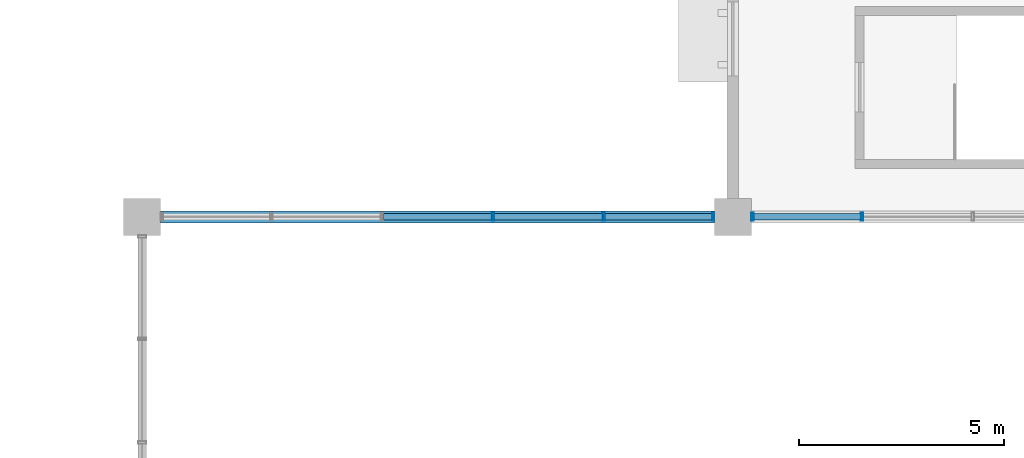
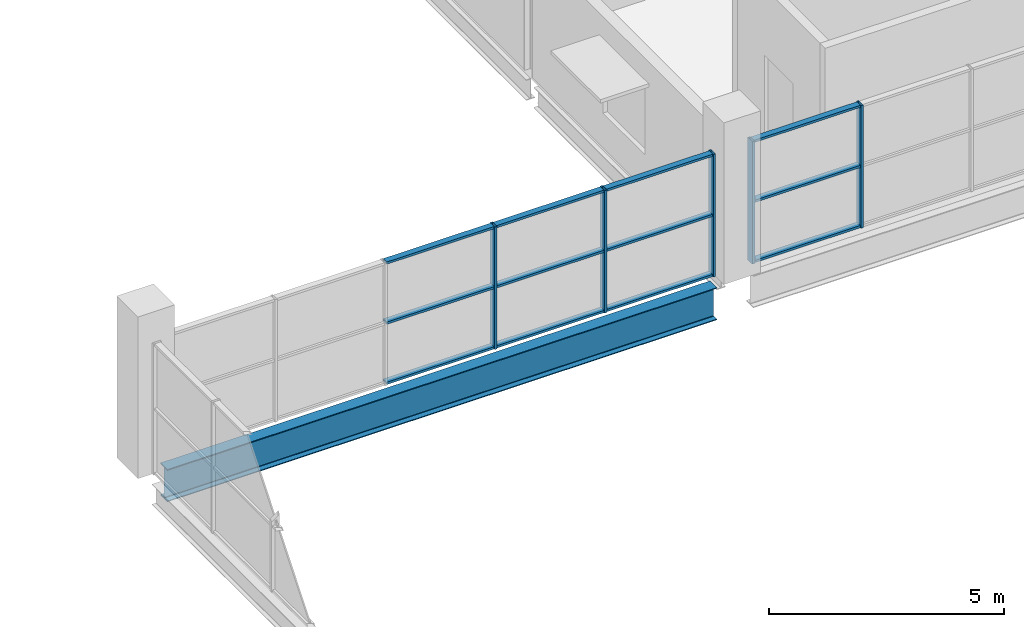
# One storey, part 36 of 93: 17 members, 1 beam, 2 elements without a shape of their own.
"""IFC4 building model written with IfcOpenShell, lengths in metres."""

from ifc_helpers import new_model, si_unit, direction, frame, origin, origin_2d, place, context, subcontext, project, spatial, hollow_rectangle, i_section, extrude, material, material_profile, profile_set, type_object, element, aggregate, save


model = new_model("IFC4")

# Units and contexts
model_context = context("Model", 3, precision=1e-05, world=origin(), true_north=direction((0.0, 1.0)))
body_context = subcontext(model_context, "Body", "Model", "MODEL_VIEW")
ifc_project = project(units=[si_unit("LENGTHUNIT", "METRE"), si_unit("AREAUNIT", "SQUARE_METRE"), si_unit("VOLUMEUNIT", "CUBIC_METRE"), si_unit("PLANEANGLEUNIT", "RADIAN"), si_unit("MASSUNIT", "GRAM", prefix="KILO"), si_unit("THERMODYNAMICTEMPERATUREUNIT", "KELVIN")], contexts=[model_context])

# Site, building, storey
site_placement = place(None, origin())
site = spatial("IfcSite", under=ifc_project, at=site_placement, CompositionType="ELEMENT")
building_placement = place(site_placement, origin())
building = spatial("IfcBuilding", under=site, at=building_placement, Name="Nduvali Passage Aquatics Centre", CompositionType="ELEMENT")
storey_placement = place(building_placement, frame((0.0, 0.0, 9.0)))
storey = spatial("IfcBuildingStorey", under=building, at=storey_placement, Name="L02", CompositionType="ELEMENT", Elevation=9.0)

# Curtain wall, members
ifc_material_1 = material(Name="Aluminium EN AW-6063 T6", Category="aluminium")
curtain_wall_type = type_object("IfcCurtainWallType", Name="ENV-CW-CLER", PredefinedType="NOTDEFINED", material=ifc_material_1)
curtain_wall_1_placement = place(storey_placement, origin())
curtain_wall_1 = element("IfcCurtainWall", 1, at=curtain_wall_1_placement, inside=storey, type_object=curtain_wall_type, Name="L02 North Pool Hall Corner Clerestory 055", PredefinedType="NOTDEFINED")
ifc_material_profile_1 = material_profile(ifc_material_1, hollow_rectangle(XDim=0.06005859375, YDim=0.199951171875, WallThickness=0.00390625, at=origin_2d()), Name="ALU MULLION 60x200x4")
ifc_profile_set_1 = profile_set([ifc_material_profile_1], Name="Aluminium EN AW-6063 T6")
member_type_1 = type_object("IfcMemberType", Name="ENV-MEM-MUL80", PredefinedType="MULLION", material=ifc_profile_set_1)
member_1_placement = place(storey_placement, frame((33.75, 92.39990234375, 0.0), z_axis=(0.0, 0.0, 1.0), x_axis=(1.0, 0.0, 0.0)))
member_1 = element("IfcMember", 2, at=member_1_placement, type_object=member_type_1, Name="North Pool Hall Corner Clerestory Mullion 4", PredefinedType="MULLION", context=body_context, shape_type="SweptSolid", body=[
    extrude(hollow_rectangle(XDim=0.06005859375, YDim=0.199951171875, WallThickness=0.00390625, at=origin_2d()), origin(), (0.0, 0.0, 1.0), 3.183837890625),
])
member_2_placement = place(storey_placement, frame((36.449951171875, 92.39990234375, 0.0), z_axis=(0.0, 0.0, 1.0), x_axis=(1.0, 0.0, 0.0)))
member_2 = element("IfcMember", 3, at=member_2_placement, type_object=member_type_1, Name="North Pool Hall Corner Clerestory Mullion 5", PredefinedType="MULLION", context=body_context, shape_type="SweptSolid", body=[
    extrude(hollow_rectangle(XDim=0.06005859375, YDim=0.199951171875, WallThickness=0.00390625, at=origin_2d()), origin(), (0.0, 0.0, 1.0), 3.183837890625),
])
member_3_placement = place(storey_placement, frame((39.1201171875, 92.39990234375, 0.0), z_axis=(0.0, 0.0, 1.0), x_axis=(1.0, 0.0, 0.0)))
member_3 = element("IfcMember", 4, at=member_3_placement, type_object=member_type_1, Name="North Pool Hall Corner Clerestory Mullion 6", PredefinedType="MULLION", context=body_context, shape_type="SweptSolid", body=[
    extrude(hollow_rectangle(XDim=0.06005859375, YDim=0.199951171875, WallThickness=0.00390625, at=origin_2d()), origin(), (0.0, 0.0, 1.0), 3.183837890625),
])

curtain_wall_2_placement = place(storey_placement, origin())
curtain_wall_2 = element("IfcCurtainWall", 5, at=curtain_wall_2_placement, inside=storey, type_object=curtain_wall_type, Name="L02 North Pool Hall Pool Overlook CW 059", PredefinedType="NOTDEFINED")
member_4_placement = place(storey_placement, frame((40.080078125, 92.39990234375, 0.0), z_axis=(0.0, 0.0, 1.0), x_axis=(1.0, 0.0, 0.0)))
member_4 = element("IfcMember", 6, at=member_4_placement, type_object=member_type_1, Name="North Pool Hall Pool Overlook CW Mullion 1", PredefinedType="MULLION", context=body_context, shape_type="SweptSolid", body=[
    extrude(hollow_rectangle(XDim=0.06005859375, YDim=0.199951171875, WallThickness=0.00390625, at=origin_2d()), origin(), (0.0, 0.0, 1.0), 3.183837890625),
])
member_5_placement = place(storey_placement, frame((42.75, 92.39990234375, 0.0), z_axis=(0.0, 0.0, 1.0), x_axis=(1.0, 0.0, 0.0)))
member_5 = element("IfcMember", 7, at=member_5_placement, type_object=member_type_1, Name="North Pool Hall Pool Overlook CW Mullion 2", PredefinedType="MULLION", context=body_context, shape_type="SweptSolid", body=[
    extrude(hollow_rectangle(XDim=0.06005859375, YDim=0.199951171875, WallThickness=0.00390625, at=origin_2d()), origin(), (0.0, 0.0, 1.0), 3.183837890625),
])

# Member
ifc_material_profile_2 = material_profile(ifc_material_1, hollow_rectangle(XDim=0.14990234375, YDim=0.06005859375, WallThickness=0.00390625, at=origin_2d()), Name="ALU TRANSOM 150x60x4")
ifc_profile_set_2 = profile_set([ifc_material_profile_2], Name="Aluminium EN AW-6063 T6")
member_type_2 = type_object("IfcMemberType", Name="ENV-MEM-TRN80", PredefinedType="USERDEFINED", material=ifc_profile_set_2)
member_6_placement = place(storey_placement, frame((31.080078125, 92.39990234375, 0.030029296875), z_axis=(1.0, 0.0, 0.0), x_axis=(0.0, 1.0, 0.0)))
member_6 = element("IfcMember", 8, at=member_6_placement, type_object=member_type_2, Name="North Pool Hall Corner Clerestory Transom B3-R0", ObjectType="TRANSOM", PredefinedType="USERDEFINED", context=body_context, shape_type="SweptSolid", body=[
    extrude(hollow_rectangle(XDim=0.14990234375, YDim=0.06005859375, WallThickness=0.00390625, at=origin_2d()), origin(), (0.0, 0.0, 1.0), 2.639892578125),
])

member_7_placement = place(storey_placement, frame((31.080078125, 92.39990234375, 1.591796875), z_axis=(1.0, 0.0, 0.0), x_axis=(0.0, 1.0, 0.0)))
member_7 = element("IfcMember", 9, at=member_7_placement, type_object=member_type_2, Name="North Pool Hall Corner Clerestory Transom B3-R1", ObjectType="TRANSOM", PredefinedType="USERDEFINED", context=body_context, shape_type="SweptSolid", body=[
    extrude(hollow_rectangle(XDim=0.14990234375, YDim=0.06005859375, WallThickness=0.00390625, at=origin_2d()), origin(), (0.0, 0.0, 1.0), 2.639892578125),
])

member_8_placement = place(storey_placement, frame((31.080078125, 92.39990234375, 3.15380859375), z_axis=(1.0, 0.0, 0.0), x_axis=(0.0, 1.0, 0.0)))
member_8 = element("IfcMember", 10, at=member_8_placement, type_object=member_type_2, Name="North Pool Hall Corner Clerestory Transom B3-R2", ObjectType="TRANSOM", PredefinedType="USERDEFINED", context=body_context, shape_type="SweptSolid", body=[
    extrude(hollow_rectangle(XDim=0.14990234375, YDim=0.06005859375, WallThickness=0.00390625, at=origin_2d()), origin(), (0.0, 0.0, 1.0), 2.639892578125),
])

member_9_placement = place(storey_placement, frame((33.780029296875, 92.39990234375, 0.030029296875), z_axis=(1.0, 0.0, 0.0), x_axis=(0.0, 1.0, 0.0)))
member_9 = element("IfcMember", 11, at=member_9_placement, type_object=member_type_2, Name="North Pool Hall Corner Clerestory Transom B4-R0", ObjectType="TRANSOM", PredefinedType="USERDEFINED", context=body_context, shape_type="SweptSolid", body=[
    extrude(hollow_rectangle(XDim=0.14990234375, YDim=0.06005859375, WallThickness=0.00390625, at=origin_2d()), origin(), (0.0, 0.0, 1.0), 2.639892578125),
])

member_10_placement = place(storey_placement, frame((33.780029296875, 92.39990234375, 1.591796875), z_axis=(1.0, 0.0, 0.0), x_axis=(0.0, 1.0, 0.0)))
member_10 = element("IfcMember", 12, at=member_10_placement, type_object=member_type_2, Name="North Pool Hall Corner Clerestory Transom B4-R1", ObjectType="TRANSOM", PredefinedType="USERDEFINED", context=body_context, shape_type="SweptSolid", body=[
    extrude(hollow_rectangle(XDim=0.14990234375, YDim=0.06005859375, WallThickness=0.00390625, at=origin_2d()), origin(), (0.0, 0.0, 1.0), 2.639892578125),
])

member_11_placement = place(storey_placement, frame((33.780029296875, 92.39990234375, 3.15380859375), z_axis=(1.0, 0.0, 0.0), x_axis=(0.0, 1.0, 0.0)))
member_11 = element("IfcMember", 13, at=member_11_placement, type_object=member_type_2, Name="North Pool Hall Corner Clerestory Transom B4-R2", ObjectType="TRANSOM", PredefinedType="USERDEFINED", context=body_context, shape_type="SweptSolid", body=[
    extrude(hollow_rectangle(XDim=0.14990234375, YDim=0.06005859375, WallThickness=0.00390625, at=origin_2d()), origin(), (0.0, 0.0, 1.0), 2.639892578125),
])

member_12_placement = place(storey_placement, frame((36.47998046875, 92.39990234375, 0.030029296875), z_axis=(1.0, 0.0, 0.0), x_axis=(0.0, 1.0, 0.0)))
member_12 = element("IfcMember", 14, at=member_12_placement, type_object=member_type_2, Name="North Pool Hall Corner Clerestory Transom B5-R0", ObjectType="TRANSOM", PredefinedType="USERDEFINED", context=body_context, shape_type="SweptSolid", body=[
    extrude(hollow_rectangle(XDim=0.14990234375, YDim=0.06005859375, WallThickness=0.00390625, at=origin_2d()), origin(), (0.0, 0.0, 1.0), 2.610107421875),
])

member_13_placement = place(storey_placement, frame((36.47998046875, 92.39990234375, 1.591796875), z_axis=(1.0, 0.0, 0.0), x_axis=(0.0, 1.0, 0.0)))
member_13 = element("IfcMember", 15, at=member_13_placement, type_object=member_type_2, Name="North Pool Hall Corner Clerestory Transom B5-R1", ObjectType="TRANSOM", PredefinedType="USERDEFINED", context=body_context, shape_type="SweptSolid", body=[
    extrude(hollow_rectangle(XDim=0.14990234375, YDim=0.06005859375, WallThickness=0.00390625, at=origin_2d()), origin(), (0.0, 0.0, 1.0), 2.610107421875),
])

member_14_placement = place(storey_placement, frame((36.47998046875, 92.39990234375, 3.15380859375), z_axis=(1.0, 0.0, 0.0), x_axis=(0.0, 1.0, 0.0)))
member_14 = element("IfcMember", 16, at=member_14_placement, type_object=member_type_2, Name="North Pool Hall Corner Clerestory Transom B5-R2", ObjectType="TRANSOM", PredefinedType="USERDEFINED", context=body_context, shape_type="SweptSolid", body=[
    extrude(hollow_rectangle(XDim=0.14990234375, YDim=0.06005859375, WallThickness=0.00390625, at=origin_2d()), origin(), (0.0, 0.0, 1.0), 2.610107421875),
])

aggregate(curtain_wall_1, [member_1, member_2, member_3, member_6, member_7, member_8, member_9, member_10, member_11, member_12, member_13, member_14])

member_15_placement = place(storey_placement, frame((40.110107421875, 92.39990234375, 0.030029296875), z_axis=(1.0, 0.0, 0.0), x_axis=(0.0, 1.0, 0.0)))
member_15 = element("IfcMember", 17, at=member_15_placement, type_object=member_type_2, Name="North Pool Hall Pool Overlook CW Transom B1-R0", ObjectType="TRANSOM", PredefinedType="USERDEFINED", context=body_context, shape_type="SweptSolid", body=[
    extrude(hollow_rectangle(XDim=0.14990234375, YDim=0.06005859375, WallThickness=0.00390625, at=origin_2d()), origin(), (0.0, 0.0, 1.0), 2.60986328125),
])

member_16_placement = place(storey_placement, frame((40.110107421875, 92.39990234375, 1.591796875), z_axis=(1.0, 0.0, 0.0), x_axis=(0.0, 1.0, 0.0)))
member_16 = element("IfcMember", 18, at=member_16_placement, type_object=member_type_2, Name="North Pool Hall Pool Overlook CW Transom B1-R1", ObjectType="TRANSOM", PredefinedType="USERDEFINED", context=body_context, shape_type="SweptSolid", body=[
    extrude(hollow_rectangle(XDim=0.14990234375, YDim=0.06005859375, WallThickness=0.00390625, at=origin_2d()), origin(), (0.0, 0.0, 1.0), 2.60986328125),
])

member_17_placement = place(storey_placement, frame((40.110107421875, 92.39990234375, 3.15380859375), z_axis=(1.0, 0.0, 0.0), x_axis=(0.0, 1.0, 0.0)))
member_17 = element("IfcMember", 19, at=member_17_placement, type_object=member_type_2, Name="North Pool Hall Pool Overlook CW Transom B1-R2", ObjectType="TRANSOM", PredefinedType="USERDEFINED", context=body_context, shape_type="SweptSolid", body=[
    extrude(hollow_rectangle(XDim=0.14990234375, YDim=0.06005859375, WallThickness=0.00390625, at=origin_2d()), origin(), (0.0, 0.0, 1.0), 2.60986328125),
])

aggregate(curtain_wall_2, [member_4, member_5, member_15, member_16, member_17])

# Beam
ifc_material_2 = material(Name="Steel S355", Category="steel")
ifc_material_profile_3 = material_profile(ifc_material_2, i_section(OverallWidth=0.29248046875, OverallDepth=0.8408203125, WebThickness=0.0146484375, FlangeThickness=0.021728515625, FilletRadius=0.017822265625, at=origin_2d()), Name="UKB 838x292x194")
ifc_profile_set_3 = profile_set([ifc_material_profile_3], Name="Steel S355")
beam_type = type_object("IfcBeamType", Name="STR-BM-UKB838-EXT", PredefinedType="BEAM", material=ifc_profile_set_3)
beam_placement = place(storey_placement, frame((25.64990234375, 92.39990234375, -0.684326171875), z_axis=(1.0, 0.0, 0.0), x_axis=(0.0, 1.0, 0.0)))
element("IfcBeam", 20, at=beam_placement, inside=storey, type_object=beam_type, Name="L02 Primary X-Girder B4BE-0922", PredefinedType="BEAM", context=body_context, shape_type="SweptSolid", body=[
    extrude(i_section(OverallWidth=0.29248046875, OverallDepth=0.8408203125, WebThickness=0.0146484375, FlangeThickness=0.021728515625, FilletRadius=0.017822265625, at=origin_2d()), origin(), (0.0, 0.0, 1.0), 13.5),
])

save(model, "model.ifc")
